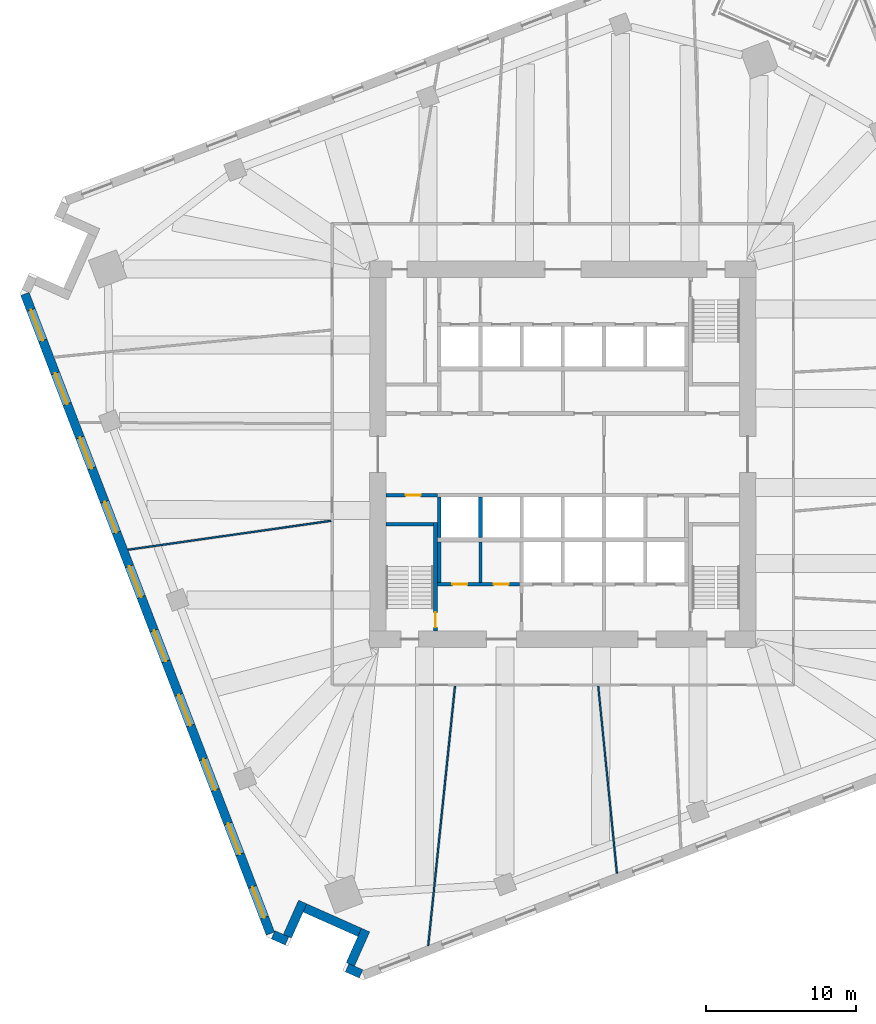
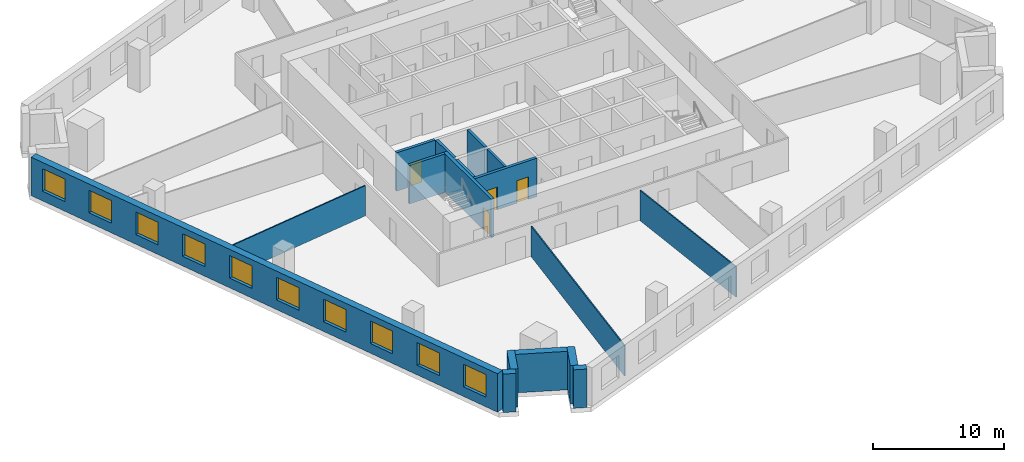
# One storey, part 7 of 14: 17 walls, 10 windows, 4 doors, 14 openings.
"""IFC4 building model written with IfcOpenShell, lengths in metres."""

import ifcopenshell
import ifcopenshell.guid

model = None  # the IFC model being written
_history = None  # IfcOwnerHistory: only IFC2X3 demands one
_inside = {}  # id of a spatial element -> (the spatial element, [elements in it])
_under = {}  # id of a project, library or spatial element -> (it, [spatial elements below it])
_declared = {}  # id of a project -> (the project, [libraries it declares])
_typed = {}  # id of a type object -> (the type object, [elements of that type])
_made_of = {}  # id of a material, layer set ... -> (it, [elements and type objects made of it])


def new_model(schema):
    """Start an empty IFC model of exactly this schema.

    Asked for "IFC4X3", IfcOpenShell would pick the latest addendum, in which some entities
    have other attributes; the version numbers below select the first issue.
    IFC2X3 requires an IfcOwnerHistory on every rooted entity: one is made here for all.
    """
    global model, _history
    if schema == "IFC4X3":
        model = ifcopenshell.file(schema_version=(4, 3, 0, 0))
    else:
        model = ifcopenshell.file(schema=schema)
    _inside.clear()
    _under.clear()
    _declared.clear()
    _typed.clear()
    _made_of.clear()
    _history = None
    if model.schema == "IFC2X3":
        org = make("IfcOrganization", Name="unknown")
        user = make(
            "IfcPersonAndOrganization",
            ThePerson=make("IfcPerson", FamilyName="unknown"),
            TheOrganization=org,
        )
        app = make(
            "IfcApplication",
            ApplicationDeveloper=org,
            Version="unknown",
            ApplicationFullName="unknown",
            ApplicationIdentifier="unknown",
        )
        _history = make(
            "IfcOwnerHistory",
            OwningUser=user,
            OwningApplication=app,
            ChangeAction="ADDED",
            CreationDate=0,
        )
    return model


def make(cls, **values):
    """One entity of the class cls with the attributes given. An attribute that is None is left unset."""
    return model.create_entity(
        cls, **{name: value for name, value in values.items() if value is not None}
    )


def rooted(cls, **values):
    """An entity with a GlobalId (a new one), such as an element, a storey or a relation."""
    return make(cls, GlobalId=ifcopenshell.guid.new(), OwnerHistory=_history, **values)


def si_unit(unit_type, name, prefix=None):
    """IfcSIUnit, for example si_unit("LENGTHUNIT", "METRE", prefix="MILLI")."""
    return make("IfcSIUnit", UnitType=unit_type, Prefix=prefix, Name=name)


def assignment(units):
    """IfcUnitAssignment: the units of a project."""
    return None if units is None else make("IfcUnitAssignment", Units=units)


def point(xyz):
    """IfcCartesianPoint."""
    return None if xyz is None else make("IfcCartesianPoint", Coordinates=xyz)


def direction(xyz):
    """IfcDirection."""
    return None if xyz is None else make("IfcDirection", DirectionRatios=xyz)


def frame(location, z_axis=None, x_axis=None):
    """IfcAxis2Placement3D, a coordinate frame: its origin and axes. An axis left out is left unset."""
    return make(
        "IfcAxis2Placement3D",
        Location=point(location),
        Axis=direction(z_axis),
        RefDirection=direction(x_axis),
    )


def frame_2d(location, x_axis=None):
    """IfcAxis2Placement2D, a coordinate frame in the plane: its origin and x axis."""
    return make(
        "IfcAxis2Placement2D", Location=point(location), RefDirection=direction(x_axis)
    )


def origin():
    """The frame at (0, 0, 0) with its axes left unset."""
    return frame((0.0, 0.0, 0.0))


def place(relative_to, where):
    """IfcLocalPlacement: puts the frame where relative to a parent placement (None: the world)."""
    return make(
        "IfcLocalPlacement", PlacementRelTo=relative_to, RelativePlacement=where
    )


def context(
    kind, dimensions, precision=None, world=None, true_north=None, identifier=None
):
    """IfcGeometricRepresentationContext, for example the 3D "Model" context."""
    return make(
        "IfcGeometricRepresentationContext",
        ContextIdentifier=identifier,
        ContextType=kind,
        CoordinateSpaceDimension=dimensions,
        Precision=precision,
        WorldCoordinateSystem=world,
        TrueNorth=true_north,
    )


def subcontext(parent, identifier, kind, view, scale=None):
    """IfcGeometricRepresentationSubContext, for example "Body" below "Model"."""
    return make(
        "IfcGeometricRepresentationSubContext",
        ContextIdentifier=identifier,
        ContextType=kind,
        ParentContext=parent,
        TargetScale=scale,
        TargetView=view,
    )


def project(units=None, contexts=None):
    """IfcProject with its units and contexts."""
    return rooted(
        "IfcProject",
        Name="project",
        RepresentationContexts=contexts,
        UnitsInContext=assignment(units),
    )


def spatial(cls, under=None, at=None, **own):
    """A site, building, storey or space (cls), placed at a placement, below another one or the project."""
    s = rooted(cls, ObjectPlacement=at, **own)
    if under is not None:
        _under.setdefault(under.id(), (under, []))[1].append(s)
    return s


def profile(cls, at=None, kind="AREA", **sizes):
    """A parametric profile (cls). Its sizes go by their IFC names, for example OverallWidth=200.0."""
    return make(cls, ProfileType=kind, Position=at, **sizes)


def rectangle(**sizes):
    """IfcRectangleProfileDef."""
    return profile("IfcRectangleProfileDef", **sizes)


def extrude(swept, where, along, depth):
    """IfcExtrudedAreaSolid: the profile swept, set in the frame where, extruded along a direction by depth."""
    return make(
        "IfcExtrudedAreaSolid",
        SweptArea=swept,
        Position=where,
        ExtrudedDirection=direction(along),
        Depth=depth,
    )


def shape(context_of_items, identifier, shape_type, items):
    """IfcShapeRepresentation: the items that make up one representation, for example the "Body"."""
    return make(
        "IfcShapeRepresentation",
        ContextOfItems=context_of_items,
        RepresentationIdentifier=identifier,
        RepresentationType=shape_type,
        Items=items,
    )


def material(Name=None, Category=None):
    """IfcMaterial."""
    return make("IfcMaterial", Name=Name, Category=Category)


def layer(
    of_material, thickness, ventilated=None, Name=None, Category=None, Priority=None
):
    """IfcMaterialLayer: one layer of a wall or slab, of a material (None: an air gap)."""
    return make(
        "IfcMaterialLayer",
        Material=of_material,
        LayerThickness=thickness,
        IsVentilated=ventilated,
        Name=Name,
        Category=Category,
        Priority=Priority,
    )


def layer_set(layers, Name=None):
    """IfcMaterialLayerSet."""
    return make("IfcMaterialLayerSet", MaterialLayers=layers, LayerSetName=Name)


def made_of(thing, what):
    """Note that an element or type object is made of a material, layer set ...; save() writes the relation."""
    if what is not None:
        _made_of.setdefault(what.id(), (what, []))[1].append(thing)
    return thing


def type_object(cls, material=None, **own):
    """A type object (cls), such as IfcWallType, which elements share."""
    return made_of(rooted(cls, **own), material)


def element(
    cls,
    number,
    at=None,
    inside=None,
    cuts=None,
    type_object=None,
    material=None,
    context=None,
    identifier="Body",
    shape_type=None,
    held_by="IfcProductDefinitionShape",
    body=None,
    shapes=None,
    **own,
):
    """One element of the class cls, such as IfcWall. Its Tag is "e" and its number.

    at: its placement. inside: the storey or other place that contains it. cuts: it is an
    opening in that element (IfcRelVoidsElement). A single representation is given by context,
    identifier, shape_type and body (its items); several are given by shapes. held_by: the class
    of the entity that holds the representations. save() writes the other relations.
    """
    e = rooted(cls, Tag="e%d" % number, ObjectPlacement=at, **own)
    if body is not None:
        shapes = [shape(context, identifier, shape_type, body)]
    if shapes is not None:
        e.Representation = make(held_by, Representations=shapes)
    if inside is not None:
        _inside.setdefault(inside.id(), (inside, []))[1].append(e)
    if cuts is not None:
        rooted(
            "IfcRelVoidsElement", RelatingBuildingElement=cuts, RelatedOpeningElement=e
        )
    if type_object is not None:
        _typed.setdefault(type_object.id(), (type_object, []))[1].append(e)
    return made_of(e, material)


def fill(opening, filler):
    """IfcRelFillsElement: the door or window that sits in an opening."""
    return rooted(
        "IfcRelFillsElement",
        RelatingOpeningElement=opening,
        RelatedBuildingElement=filler,
    )


def aggregate(whole, parts):
    """IfcRelAggregates: a whole, such as a stair, and the parts it consists of."""
    return rooted("IfcRelAggregates", RelatingObject=whole, RelatedObjects=parts)


def save(model, path):
    """Write the relations noted so far, then the file.

    IfcRelAggregates (storeys below a building ...), IfcRelContainedInSpatialStructure (elements
    in a storey), IfcRelDefinesByType, IfcRelAssociatesMaterial and IfcRelDeclares: one each for
    every whole, place, type object, material and project.
    """
    for whole, parts in _under.values():
        aggregate(whole, parts)
    for where, things in _inside.values():
        rooted(
            "IfcRelContainedInSpatialStructure",
            RelatedElements=things,
            RelatingStructure=where,
        )
    for kind, things in _typed.values():
        rooted("IfcRelDefinesByType", RelatedObjects=things, RelatingType=kind)
    for what, things in _made_of.values():
        rooted("IfcRelAssociatesMaterial", RelatedObjects=things, RelatingMaterial=what)
    for by, libraries in _declared.values():
        rooted("IfcRelDeclares", RelatingContext=by, RelatedDefinitions=libraries)
    model.write(path)


model = new_model("IFC4")

# Units and contexts
model_context = context("Model", 3, precision=1e-05, world=origin(), true_north=direction((0.0, 1.0)))
body_context = subcontext(model_context, "Body", "Model", "MODEL_VIEW")
ifc_project = project(units=[si_unit("LENGTHUNIT", "METRE"), si_unit("AREAUNIT", "SQUARE_METRE"), si_unit("VOLUMEUNIT", "CUBIC_METRE"), si_unit("PLANEANGLEUNIT", "RADIAN"), si_unit("MASSUNIT", "GRAM", prefix="KILO")], contexts=[model_context])

# Site, building, storey
site_placement = place(None, origin())
site = spatial("IfcSite", under=ifc_project, at=site_placement, CompositionType="ELEMENT")
building_placement = place(site_placement, origin())
building = spatial("IfcBuilding", under=site, at=building_placement, Name="Dilmun Exchange Tower", CompositionType="ELEMENT")
storey_placement = place(building_placement, frame((0.0, 0.0, 110.10009765625)))
storey = spatial("IfcBuildingStorey", under=building, at=storey_placement, Name="L25", CompositionType="ELEMENT", Elevation=110.10009765625)

# Wall
ifc_material_1 = material(Name="Concrete C40/50", Category="concrete")
ifc_layer_1 = layer(ifc_material_1, 0.199951171875)
ifc_layer_set_1 = layer_set([ifc_layer_1], Name="Concrete C40/50")
wall_type_1 = type_object("IfcWallType", Name="Core partition wall 200", PredefinedType="PARTITIONING", material=ifc_layer_set_1)
wall_1_placement = place(storey_placement, frame((-5.5, -8.544921875, 0.0), z_axis=(0.0, 0.0, 1.0), x_axis=(0.0, 1.0, 0.0)))
element("IfcWall", 1, at=wall_1_placement, inside=storey, type_object=wall_type_1, Name="L25 core partition wall 05", PredefinedType="PARTITIONING", context=body_context, shape_type="SweptSolid", body=[
    extrude(rectangle(XDim=2.68994140625, YDim=0.199951171875, at=frame_2d((1.344970703125, 0.0))), origin(), (0.0, 0.0, 1.0), 3.579833984375),
])

# Wall, openings, doors
ifc_layer_2 = layer(ifc_material_1, 0.25)
ifc_layer_set_2 = layer_set([ifc_layer_2], Name="Concrete C40/50")
wall_type_2 = type_object("IfcWallType", Name="Core partition wall 250", PredefinedType="PARTITIONING", material=ifc_layer_set_2)
wall_2_placement = place(storey_placement, frame((-8.3701171875, -8.675048828125, 0.0), z_axis=(0.0, 0.0, 1.0), x_axis=(1.0, 0.0, 0.0)))
wall_2 = element("IfcWall", 2, at=wall_2_placement, inside=storey, type_object=wall_type_2, Name="L25 core partition wall 03", PredefinedType="PARTITIONING", context=body_context, shape_type="SweptSolid", body=[
    extrude(rectangle(XDim=5.490234375, YDim=0.25, at=frame_2d((2.7451171875, 0.0))), origin(), (0.0, 0.0, 1.0), 3.579833984375),
])
opening_1_placement = place(wall_2_placement, frame((0.9951171875, 0.0, 0.0)))
opening_1 = element("IfcOpeningElement", 3, at=opening_1_placement, cuts=wall_2, Name="Opening CD4", PredefinedType="OPENING", context=body_context, shape_type="SweptSolid", body=[
    extrude(rectangle(XDim=1.0, YDim=2.10009765625, at=frame_2d((0.5, 1.050048828125))), frame((0.0, 0.135009765625, 0.0), z_axis=(0.0, -1.0, 0.0), x_axis=(1.0, 0.0, 0.0)), (0.0, 0.0, 1.0), 0.27001953125),
])
opening_2_placement = place(wall_2_placement, frame((3.7451171875, 0.0, 0.0)))
opening_2 = element("IfcOpeningElement", 4, at=opening_2_placement, cuts=wall_2, Name="Opening CD4", PredefinedType="OPENING", context=body_context, shape_type="SweptSolid", body=[
    extrude(rectangle(XDim=1.0, YDim=2.10009765625, at=frame_2d((0.5, 1.050048828125))), frame((0.0, 0.135009765625, 0.0), z_axis=(0.0, -1.0, 0.0), x_axis=(1.0, 0.0, 0.0)), (0.0, 0.0, 1.0), 0.27001953125),
])
ifc_material_2 = material(Name="Fire-rated steel door set", Category="steel")
door_type = type_object("IfcDoorType", Name="Core room door 1000x2100", OperationType="SINGLE_SWING_LEFT", PredefinedType="DOOR", material=ifc_material_2)
door_1_placement = place(opening_1_placement, origin())
door_1 = element("IfcDoor", 5, at=door_1_placement, inside=storey, type_object=door_type, Name="L25 door Male WC", OperationType="SINGLE_SWING_RIGHT", OverallHeight=2.10009765625, OverallWidth=1.0, PredefinedType="DOOR", context=body_context, shape_type="SweptSolid", body=[
    extrude(rectangle(XDim=1.0, YDim=2.10009765625, at=frame_2d((0.5, 1.050048828125))), frame((0.0, 0.02490234375, 0.0), z_axis=(0.0, -1.0, 0.0), x_axis=(1.0, 0.0, 0.0)), (0.0, 0.0, 1.0), 0.050048828125),
])
fill(opening_1, door_1)
door_2_placement = place(opening_2_placement, origin())
door_2 = element("IfcDoor", 6, at=door_2_placement, inside=storey, type_object=door_type, Name="L25 door Female WC", OperationType="SINGLE_SWING_RIGHT", OverallHeight=2.10009765625, OverallWidth=1.0, PredefinedType="DOOR", context=body_context, shape_type="SweptSolid", body=[
    extrude(rectangle(XDim=1.0, YDim=2.10009765625, at=frame_2d((0.5, 1.050048828125))), frame((0.0, 0.02490234375, 0.0), z_axis=(0.0, -1.0, 0.0), x_axis=(1.0, 0.0, 0.0)), (0.0, 0.0, 1.0), 0.050048828125),
])
fill(opening_2, door_2)

# Wall
wall_3_placement = place(storey_placement, frame((-8.25, -8.544921875, 0.0), z_axis=(0.0, 0.0, 1.0), x_axis=(0.0, 1.0, 0.0)))
element("IfcWall", 7, at=wall_3_placement, inside=storey, type_object=wall_type_2, Name="L25 core partition wall 04", PredefinedType="PARTITIONING", context=body_context, shape_type="SweptSolid", body=[
    extrude(rectangle(XDim=2.68994140625, YDim=0.25, at=frame_2d((1.344970703125, 0.0))), origin(), (0.0, 0.0, 1.0), 3.579833984375),
])

# Wall, opening, door
wall_4_placement = place(storey_placement, frame((-11.794921875, -2.72509765625, 0.0), z_axis=(0.0, 0.0, 1.0), x_axis=(1.0, 0.0, 0.0)))
wall_4 = element("IfcWall", 8, at=wall_4_placement, inside=storey, type_object=wall_type_2, Name="L25 core partition wall 07", PredefinedType="PARTITIONING", context=body_context, shape_type="SweptSolid", body=[
    extrude(rectangle(XDim=3.4150390625, YDim=0.25, at=frame_2d((1.70751953125, 0.0))), origin(), (0.0, 0.0, 1.0), 3.579833984375),
])
opening_3_placement = place(wall_4_placement, frame((1.294921875, 0.0, 0.0)))
opening_3 = element("IfcOpeningElement", 9, at=opening_3_placement, cuts=wall_4, Name="Opening CD4", PredefinedType="OPENING", context=body_context, shape_type="SweptSolid", body=[
    extrude(rectangle(XDim=1.0, YDim=2.10009765625, at=frame_2d((0.5, 1.050048828125))), frame((0.0, 0.135009765625, 0.0), z_axis=(0.0, -1.0, 0.0), x_axis=(1.0, 0.0, 0.0)), (0.0, 0.0, 1.0), 0.27001953125),
])
door_3_placement = place(opening_3_placement, origin())
door_3 = element("IfcDoor", 10, at=door_3_placement, inside=storey, type_object=door_type, Name="L25 door Accessible WC", OperationType="SINGLE_SWING_RIGHT", OverallHeight=2.10009765625, OverallWidth=1.0, PredefinedType="DOOR", context=body_context, shape_type="SweptSolid", body=[
    extrude(rectangle(XDim=1.0, YDim=2.10009765625, at=frame_2d((0.5, 1.050048828125))), frame((0.0, 0.02490234375, 0.0), z_axis=(0.0, -1.0, 0.0), x_axis=(1.0, 0.0, 0.0)), (0.0, 0.0, 1.0), 0.050048828125),
])
fill(opening_3, door_3)

# Walls
ifc_layer_3 = layer(ifc_material_1, 0.25)
ifc_layer_set_3 = layer_set([ifc_layer_3], Name="Concrete C40/50")
wall_type_3 = type_object("IfcWallType", Name="Lift shaft wall 250", PredefinedType="SOLIDWALL", material=ifc_layer_set_3)
for number, where, z_axis, x_axis, name in (
    (11, (-8.25, -5.550048828125, 0.0), (0.0, 0.0, 1.0), (0.0, 1.0, 0.0), "L25 lift shaft divider S10"),
    (12, (-5.5, -5.550048828125, 0.0), (0.0, 0.0, 1.0), (0.0, 1.0, 0.0), "L25 lift shaft divider S11"),
):
    element("IfcWall", number, at=place(storey_placement, frame(where, z_axis=z_axis, x_axis=x_axis)), inside=storey, type_object=wall_type_3, Name=name, PredefinedType="SOLIDWALL", context=body_context, shape_type="SweptSolid", body=[
        extrude(rectangle(XDim=2.699951171875, YDim=0.25, at=frame_2d((1.35009765625, 0.0))), origin(), (0.0, 0.0, 1.0), 3.579833984375),
    ])
ifc_material_3 = material(Name="Partition 100")
ifc_layer_4 = layer(ifc_material_3, 0.10009765625)
ifc_layer_set_4 = layer_set([ifc_layer_4], Name="Partition 100")
wall_type_4 = type_object("IfcWallType", Name="Partition 100", PredefinedType="PARTITIONING", material=ifc_layer_set_4)
wall_5_placement = place(storey_placement, frame((-29.04443359375, -6.369873046875, 0.0), z_axis=(0.0, 0.0, 1.0), x_axis=(0.990003953949, 0.141039608496, 0.0)))
element("IfcWall", 13, at=wall_5_placement, inside=storey, type_object=wall_type_4, Name="Partition", PredefinedType="PARTITIONING", context=body_context, shape_type="SweptSolid", body=[
    extrude(rectangle(XDim=13.69921875, YDim=0.10009765625, at=frame_2d((6.849609375, 0.0))), origin(), (0.0, 0.0, 1.0), 2.829833984375),
])
wall_6_placement = place(storey_placement, frame((-8.99267578125, -32.79931640625, 0.0), z_axis=(0.0, 0.0, 1.0), x_axis=(0.102654687672, 0.994717052784, 0.0)))
element("IfcWall", 14, at=wall_6_placement, inside=storey, type_object=wall_type_4, Name="Partition", PredefinedType="PARTITIONING", context=body_context, shape_type="SweptSolid", body=[
    extrude(rectangle(XDim=17.411376953125, YDim=0.10009765625, at=frame_2d((8.70556640625, 0.0))), origin(), (0.0, 0.0, 1.0), 2.829833984375),
])
wall_7_placement = place(storey_placement, frame((2.360107421875, -15.47998046875, 0.0), z_axis=(0.0, 0.0, 1.0), x_axis=(0.099470960922, -0.995040465475, 0.0)))
element("IfcWall", 15, at=wall_7_placement, inside=storey, type_object=wall_type_4, Name="Partition", PredefinedType="PARTITIONING", context=body_context, shape_type="SweptSolid", body=[
    extrude(rectangle(XDim=12.54443359375, YDim=0.10009765625, at=frame_2d((6.272216796875, 0.0))), origin(), (0.0, 0.0, 1.0), 2.829833984375),
])

# Wall, openings, windows
ifc_material_4 = material(Name="Precast concrete C50/60", Category="concrete")
ifc_layer_5 = layer(ifc_material_4, 0.60009765625)
ifc_layer_set_5 = layer_set([ifc_layer_5], Name="Precast concrete C50/60")
wall_type_5 = type_object("IfcWallType", Name="Precast stone-clad wall 600", PredefinedType="STANDARD", material=ifc_layer_set_5)
wall_8_placement = place(storey_placement, frame((-35.92529296875, 10.712890625, 0.0), z_axis=(0.0, 0.0, 1.0), x_axis=(0.358368969683, -0.933580034902, 0.0)))
wall_8 = element("IfcWall", 16, at=wall_8_placement, inside=storey, type_object=wall_type_5, Name="Facade wall L25-09", PredefinedType="STANDARD", context=body_context, shape_type="SweptSolid", body=[
    extrude(rectangle(XDim=45.751708984375, YDim=0.60009765625, at=frame_2d((22.8759765625, 0.0))), origin(), (0.0, 0.0, 1.0), 3.579833984375),
])
opening_4_placement = place(wall_8_placement, frame((1.137939453125, 0.0, 0.89990234375)))
opening_4 = element("IfcOpeningElement", 17, at=opening_4_placement, cuts=wall_8, Name="Opening W220-210", PredefinedType="OPENING", context=body_context, shape_type="SweptSolid", body=[
    extrude(rectangle(XDim=2.199951171875, YDim=2.10009765625, at=frame_2d((1.10009765625, 1.050048828125))), frame((0.0, 0.31005859375, 0.0), z_axis=(0.0, -1.0, 0.0), x_axis=(1.0, 0.0, 0.0)), (0.0, 0.0, 1.0), 0.6201171875),
])
opening_5_placement = place(wall_8_placement, frame((5.67578125, 0.0, 0.89990234375)))
opening_5 = element("IfcOpeningElement", 18, at=opening_5_placement, cuts=wall_8, Name="Opening W220-210", PredefinedType="OPENING", context=body_context, shape_type="SweptSolid", body=[
    extrude(rectangle(XDim=2.199951171875, YDim=2.10009765625, at=frame_2d((1.10009765625, 1.050048828125))), frame((0.0, 0.31005859375, 0.0), z_axis=(0.0, -1.0, 0.0), x_axis=(1.0, 0.0, 0.0)), (0.0, 0.0, 1.0), 0.6201171875),
])
opening_6_placement = place(wall_8_placement, frame((10.275634765625, 0.0, 0.89990234375)))
opening_6 = element("IfcOpeningElement", 19, at=opening_6_placement, cuts=wall_8, Name="Opening W220-210", PredefinedType="OPENING", context=body_context, shape_type="SweptSolid", body=[
    extrude(rectangle(XDim=2.199951171875, YDim=2.10009765625, at=frame_2d((1.10009765625, 1.050048828125))), frame((0.0, 0.31005859375, 0.0), z_axis=(0.0, -1.0, 0.0), x_axis=(1.0, 0.0, 0.0)), (0.0, 0.0, 1.0), 0.6201171875),
])
opening_7_placement = place(wall_8_placement, frame((14.875732421875, 0.0, 0.89990234375)))
opening_7 = element("IfcOpeningElement", 20, at=opening_7_placement, cuts=wall_8, Name="Opening W220-210", PredefinedType="OPENING", context=body_context, shape_type="SweptSolid", body=[
    extrude(rectangle(XDim=2.199951171875, YDim=2.10009765625, at=frame_2d((1.10009765625, 1.050048828125))), frame((0.0, 0.31005859375, 0.0), z_axis=(0.0, -1.0, 0.0), x_axis=(1.0, 0.0, 0.0)), (0.0, 0.0, 1.0), 0.6201171875),
])
opening_8_placement = place(wall_8_placement, frame((19.4755859375, 0.0, 0.89990234375)))
opening_8 = element("IfcOpeningElement", 21, at=opening_8_placement, cuts=wall_8, Name="Opening W220-210", PredefinedType="OPENING", context=body_context, shape_type="SweptSolid", body=[
    extrude(rectangle(XDim=2.199951171875, YDim=2.10009765625, at=frame_2d((1.10009765625, 1.050048828125))), frame((0.0, 0.31005859375, 0.0), z_axis=(0.0, -1.0, 0.0), x_axis=(1.0, 0.0, 0.0)), (0.0, 0.0, 1.0), 0.6201171875),
])
opening_9_placement = place(wall_8_placement, frame((24.07568359375, 0.0, 0.89990234375)))
opening_9 = element("IfcOpeningElement", 22, at=opening_9_placement, cuts=wall_8, Name="Opening W220-210", PredefinedType="OPENING", context=body_context, shape_type="SweptSolid", body=[
    extrude(rectangle(XDim=2.199951171875, YDim=2.10009765625, at=frame_2d((1.10009765625, 1.050048828125))), frame((0.0, 0.31005859375, 0.0), z_axis=(0.0, -1.0, 0.0), x_axis=(1.0, 0.0, 0.0)), (0.0, 0.0, 1.0), 0.6201171875),
])
opening_10_placement = place(wall_8_placement, frame((28.67578125, 0.0, 0.89990234375)))
opening_10 = element("IfcOpeningElement", 23, at=opening_10_placement, cuts=wall_8, Name="Opening W220-210", PredefinedType="OPENING", context=body_context, shape_type="SweptSolid", body=[
    extrude(rectangle(XDim=2.199951171875, YDim=2.10009765625, at=frame_2d((1.10009765625, 1.050048828125))), frame((0.0, 0.31005859375, 0.0), z_axis=(0.0, -1.0, 0.0), x_axis=(1.0, 0.0, 0.0)), (0.0, 0.0, 1.0), 0.6201171875),
])
opening_11_placement = place(wall_8_placement, frame((33.275634765625, 0.0, 0.89990234375)))
opening_11 = element("IfcOpeningElement", 24, at=opening_11_placement, cuts=wall_8, Name="Opening W220-210", PredefinedType="OPENING", context=body_context, shape_type="SweptSolid", body=[
    extrude(rectangle(XDim=2.199951171875, YDim=2.10009765625, at=frame_2d((1.10009765625, 1.050048828125))), frame((0.0, 0.31005859375, 0.0), z_axis=(0.0, -1.0, 0.0), x_axis=(1.0, 0.0, 0.0)), (0.0, 0.0, 1.0), 0.6201171875),
])
opening_12_placement = place(wall_8_placement, frame((37.875732421875, 0.0, 0.89990234375)))
opening_12 = element("IfcOpeningElement", 25, at=opening_12_placement, cuts=wall_8, Name="Opening W220-210", PredefinedType="OPENING", context=body_context, shape_type="SweptSolid", body=[
    extrude(rectangle(XDim=2.199951171875, YDim=2.10009765625, at=frame_2d((1.10009765625, 1.050048828125))), frame((0.0, 0.31005859375, 0.0), z_axis=(0.0, -1.0, 0.0), x_axis=(1.0, 0.0, 0.0)), (0.0, 0.0, 1.0), 0.6201171875),
])
opening_13_placement = place(wall_8_placement, frame((42.41357421875, 0.0, 0.89990234375)))
opening_13 = element("IfcOpeningElement", 26, at=opening_13_placement, cuts=wall_8, Name="Opening W220-210", PredefinedType="OPENING", context=body_context, shape_type="SweptSolid", body=[
    extrude(rectangle(XDim=2.199951171875, YDim=2.10009765625, at=frame_2d((1.10009765625, 1.050048828125))), frame((0.0, 0.31005859375, 0.0), z_axis=(0.0, -1.0, 0.0), x_axis=(1.0, 0.0, 0.0)), (0.0, 0.0, 1.0), 0.6201171875),
])
ifc_material_5 = material(Name="Clear low-emissivity glass in aluminium frame", Category="aluminium")
window_type = type_object("IfcWindowType", Name="Punched window 2200 x 2100", PartitioningType="DOUBLE_PANEL_VERTICAL", PredefinedType="WINDOW", material=ifc_material_5)
window_1_placement = place(opening_4_placement, origin())
window_1 = element("IfcWindow", 27, at=window_1_placement, inside=storey, type_object=window_type, Name="Window 10.1", OverallHeight=2.10009765625, OverallWidth=2.199951171875, PartitioningType="SINGLE_PANEL", PredefinedType="WINDOW", context=body_context, shape_type="SweptSolid", body=[
    extrude(rectangle(XDim=2.199951171875, YDim=2.10009765625, at=frame_2d((1.10009765625, 1.050048828125))), frame((0.0, 0.030029296875, 0.0), z_axis=(0.0, -1.0, 0.0), x_axis=(1.0, 0.0, 0.0)), (0.0, 0.0, 1.0), 0.06005859375),
])
fill(opening_4, window_1)
window_2_placement = place(opening_5_placement, origin())
window_2 = element("IfcWindow", 28, at=window_2_placement, inside=storey, type_object=window_type, Name="Window 10.2", OverallHeight=2.10009765625, OverallWidth=2.199951171875, PartitioningType="SINGLE_PANEL", PredefinedType="WINDOW", context=body_context, shape_type="SweptSolid", body=[
    extrude(rectangle(XDim=2.199951171875, YDim=2.10009765625, at=frame_2d((1.10009765625, 1.050048828125))), frame((0.0, 0.030029296875, 0.0), z_axis=(0.0, -1.0, 0.0), x_axis=(1.0, 0.0, 0.0)), (0.0, 0.0, 1.0), 0.06005859375),
])
fill(opening_5, window_2)
window_3_placement = place(opening_6_placement, origin())
window_3 = element("IfcWindow", 29, at=window_3_placement, inside=storey, type_object=window_type, Name="Window 10.3", OverallHeight=2.10009765625, OverallWidth=2.199951171875, PartitioningType="SINGLE_PANEL", PredefinedType="WINDOW", context=body_context, shape_type="SweptSolid", body=[
    extrude(rectangle(XDim=2.199951171875, YDim=2.10009765625, at=frame_2d((1.10009765625, 1.050048828125))), frame((0.0, 0.030029296875, 0.0), z_axis=(0.0, -1.0, 0.0), x_axis=(1.0, 0.0, 0.0)), (0.0, 0.0, 1.0), 0.06005859375),
])
fill(opening_6, window_3)
window_4_placement = place(opening_7_placement, origin())
window_4 = element("IfcWindow", 30, at=window_4_placement, inside=storey, type_object=window_type, Name="Window 10.4", OverallHeight=2.10009765625, OverallWidth=2.199951171875, PartitioningType="SINGLE_PANEL", PredefinedType="WINDOW", context=body_context, shape_type="SweptSolid", body=[
    extrude(rectangle(XDim=2.199951171875, YDim=2.10009765625, at=frame_2d((1.10009765625, 1.050048828125))), frame((0.0, 0.030029296875, 0.0), z_axis=(0.0, -1.0, 0.0), x_axis=(1.0, 0.0, 0.0)), (0.0, 0.0, 1.0), 0.06005859375),
])
fill(opening_7, window_4)
window_5_placement = place(opening_8_placement, origin())
window_5 = element("IfcWindow", 31, at=window_5_placement, inside=storey, type_object=window_type, Name="Window 10.5", OverallHeight=2.10009765625, OverallWidth=2.199951171875, PartitioningType="SINGLE_PANEL", PredefinedType="WINDOW", context=body_context, shape_type="SweptSolid", body=[
    extrude(rectangle(XDim=2.199951171875, YDim=2.10009765625, at=frame_2d((1.10009765625, 1.050048828125))), frame((0.0, 0.030029296875, 0.0), z_axis=(0.0, -1.0, 0.0), x_axis=(1.0, 0.0, 0.0)), (0.0, 0.0, 1.0), 0.06005859375),
])
fill(opening_8, window_5)
window_6_placement = place(opening_9_placement, origin())
window_6 = element("IfcWindow", 32, at=window_6_placement, inside=storey, type_object=window_type, Name="Window 10.6", OverallHeight=2.10009765625, OverallWidth=2.199951171875, PartitioningType="SINGLE_PANEL", PredefinedType="WINDOW", context=body_context, shape_type="SweptSolid", body=[
    extrude(rectangle(XDim=2.199951171875, YDim=2.10009765625, at=frame_2d((1.10009765625, 1.050048828125))), frame((0.0, 0.030029296875, 0.0), z_axis=(0.0, -1.0, 0.0), x_axis=(1.0, 0.0, 0.0)), (0.0, 0.0, 1.0), 0.06005859375),
])
fill(opening_9, window_6)
window_7_placement = place(opening_10_placement, origin())
window_7 = element("IfcWindow", 33, at=window_7_placement, inside=storey, type_object=window_type, Name="Window 10.7", OverallHeight=2.10009765625, OverallWidth=2.199951171875, PartitioningType="SINGLE_PANEL", PredefinedType="WINDOW", context=body_context, shape_type="SweptSolid", body=[
    extrude(rectangle(XDim=2.199951171875, YDim=2.10009765625, at=frame_2d((1.10009765625, 1.050048828125))), frame((0.0, 0.030029296875, 0.0), z_axis=(0.0, -1.0, 0.0), x_axis=(1.0, 0.0, 0.0)), (0.0, 0.0, 1.0), 0.06005859375),
])
fill(opening_10, window_7)
window_8_placement = place(opening_11_placement, origin())
window_8 = element("IfcWindow", 34, at=window_8_placement, inside=storey, type_object=window_type, Name="Window 10.8", OverallHeight=2.10009765625, OverallWidth=2.199951171875, PartitioningType="SINGLE_PANEL", PredefinedType="WINDOW", context=body_context, shape_type="SweptSolid", body=[
    extrude(rectangle(XDim=2.199951171875, YDim=2.10009765625, at=frame_2d((1.10009765625, 1.050048828125))), frame((0.0, 0.030029296875, 0.0), z_axis=(0.0, -1.0, 0.0), x_axis=(1.0, 0.0, 0.0)), (0.0, 0.0, 1.0), 0.06005859375),
])
fill(opening_11, window_8)
window_9_placement = place(opening_12_placement, origin())
window_9 = element("IfcWindow", 35, at=window_9_placement, inside=storey, type_object=window_type, Name="Window 10.9", OverallHeight=2.10009765625, OverallWidth=2.199951171875, PartitioningType="SINGLE_PANEL", PredefinedType="WINDOW", context=body_context, shape_type="SweptSolid", body=[
    extrude(rectangle(XDim=2.199951171875, YDim=2.10009765625, at=frame_2d((1.10009765625, 1.050048828125))), frame((0.0, 0.030029296875, 0.0), z_axis=(0.0, -1.0, 0.0), x_axis=(1.0, 0.0, 0.0)), (0.0, 0.0, 1.0), 0.06005859375),
])
fill(opening_12, window_9)
window_10_placement = place(opening_13_placement, origin())
window_10 = element("IfcWindow", 36, at=window_10_placement, inside=storey, type_object=window_type, Name="Window 10.10", OverallHeight=2.10009765625, OverallWidth=2.199951171875, PartitioningType="SINGLE_PANEL", PredefinedType="WINDOW", context=body_context, shape_type="SweptSolid", body=[
    extrude(rectangle(XDim=2.199951171875, YDim=2.10009765625, at=frame_2d((1.10009765625, 1.050048828125))), frame((0.0, 0.030029296875, 0.0), z_axis=(0.0, -1.0, 0.0), x_axis=(1.0, 0.0, 0.0)), (0.0, 0.0, 1.0), 0.06005859375),
])
fill(opening_13, window_10)

# Walls
wall_9_placement = place(storey_placement, frame((-19.3466796875, -32.081298828125, 0.0), z_axis=(0.0, 0.0, 1.0), x_axis=(0.913612312282, -0.406586451872, 0.0)))
element("IfcWall", 37, at=wall_9_placement, inside=storey, type_object=wall_type_5, Name="Facade wall L25-10", PredefinedType="STANDARD", context=body_context, shape_type="SweptSolid", body=[
    extrude(rectangle(XDim=1.01123046875, YDim=0.60009765625, at=frame_2d((0.505615234375, 0.0))), origin(), (0.0, 0.0, 1.0), 3.579833984375),
])
wall_10_placement = place(storey_placement, frame((-18.39208984375, -32.177734375, 0.0), z_axis=(0.0, 0.0, 1.0), x_axis=(0.406727323635, 0.913549606868, 0.0)))
element("IfcWall", 38, at=wall_10_placement, inside=storey, type_object=wall_type_5, Name="Facade wall L25-11", PredefinedType="STANDARD", context=body_context, shape_type="SweptSolid", body=[
    extrude(rectangle(XDim=2.5, YDim=0.60009765625, at=frame_2d((1.25, 0.0))), origin(), (0.0, 0.0, 1.0), 3.579833984375),
])
wall_11_placement = place(storey_placement, frame((-17.223388671875, -30.2900390625, 0.0), z_axis=(0.0, 0.0, 1.0), x_axis=(0.913549606868, -0.406727323635, 0.0)))
element("IfcWall", 39, at=wall_11_placement, inside=storey, type_object=wall_type_5, Name="Facade wall L25-12", PredefinedType="STANDARD", context=body_context, shape_type="SweptSolid", body=[
    extrude(rectangle(XDim=4.0, YDim=0.60009765625, at=frame_2d((2.0, 0.0))), origin(), (0.0, 0.0, 1.0), 3.579833984375),
])
wall_12_placement = place(storey_placement, frame((-13.173095703125, -31.764892578125, 0.0), z_axis=(0.0, 0.0, 1.0), x_axis=(-0.406727323635, -0.913549606868, 0.0)))
element("IfcWall", 40, at=wall_12_placement, inside=storey, type_object=wall_type_5, Name="Facade wall L25-13", PredefinedType="STANDARD", context=body_context, shape_type="SweptSolid", body=[
    extrude(rectangle(XDim=2.5, YDim=0.60009765625, at=frame_2d((1.25, 0.0))), origin(), (0.0, 0.0, 1.0), 3.579833984375),
])
wall_13_placement = place(storey_placement, frame((-14.4033203125, -34.2822265625, 0.0), z_axis=(0.0, 0.0, 1.0), x_axis=(0.913522612657, -0.406787949875, 0.0)))
element("IfcWall", 41, at=wall_13_placement, inside=storey, type_object=wall_type_5, Name="Facade wall L25-14", PredefinedType="STANDARD", context=body_context, shape_type="SweptSolid", body=[
    extrude(rectangle(XDim=1.01123046875, YDim=0.60009765625, at=frame_2d((0.505615234375, 0.0))), origin(), (0.0, 0.0, 1.0), 3.579833984375),
])
ifc_layer_6 = layer(ifc_material_1, 0.25)
ifc_layer_set_6 = layer_set([ifc_layer_6], Name="Concrete C40/50")
wall_type_6 = type_object("IfcWallType", Name="Stair end wall 250", PredefinedType="SOLIDWALL", material=ifc_layer_set_6)
wall_14_placement = place(storey_placement, frame((-8.64990234375, -4.675048828125, 0.0), z_axis=(0.0, 0.0, 1.0), x_axis=(-1.0, 0.0, 0.0)))
element("IfcWall", 42, at=wall_14_placement, inside=storey, type_object=wall_type_6, Name="L25 ST2 far wall", PredefinedType="SOLIDWALL", context=body_context, shape_type="SweptSolid", body=[
    extrude(rectangle(XDim=3.150146484375, YDim=0.25, at=frame_2d((1.5751953125, 0.0))), origin(), (0.0, 0.0, 1.0), 3.579833984375),
])

# Wall, opening, door
ifc_layer_7 = layer(ifc_material_1, 0.27490234375)
ifc_layer_set_7 = layer_set([ifc_layer_7], Name="Concrete C40/50")
wall_type_7 = type_object("IfcWallType", Name="Stair wall 275", PredefinedType="SOLIDWALL", material=ifc_layer_set_7)
wall_15_placement = place(storey_placement, frame((-8.512451171875, -4.550048828125, 0.0), z_axis=(0.0, 0.0, 1.0), x_axis=(0.0, -1.0, 0.0)))
wall_15 = element("IfcWall", 43, at=wall_15_placement, inside=storey, type_object=wall_type_7, Name="L25 ST2 wall to lift block", PredefinedType="SOLIDWALL", context=body_context, shape_type="SweptSolid", body=[
    extrude(rectangle(XDim=7.25, YDim=0.27490234375, at=frame_2d((3.625, 0.0))), origin(), (0.0, 0.0, 1.0), 3.579833984375),
])
opening_14_placement = place(wall_15_placement, frame((6.0, 0.0, 0.0)))
opening_14 = element("IfcOpeningElement", 44, at=opening_14_placement, cuts=wall_15, Name="Opening CD4", PredefinedType="OPENING", context=body_context, shape_type="SweptSolid", body=[
    extrude(rectangle(XDim=1.0, YDim=2.10009765625, at=frame_2d((0.5, 1.050048828125))), frame((0.0, 0.1474609375, 0.0), z_axis=(0.0, -1.0, 0.0), x_axis=(1.0, 0.0, 0.0)), (0.0, 0.0, 1.0), 0.294921875),
])
door_4_placement = place(opening_14_placement, origin())
door_4 = element("IfcDoor", 45, at=door_4_placement, inside=storey, type_object=door_type, Name="L25 door ST2 from lobby", OperationType="SINGLE_SWING_LEFT", OverallHeight=2.10009765625, OverallWidth=1.0, PredefinedType="DOOR", context=body_context, shape_type="SweptSolid", body=[
    extrude(rectangle(XDim=1.0, YDim=2.10009765625, at=frame_2d((0.5, 1.050048828125))), frame((0.0, 0.02490234375, 0.0), z_axis=(0.0, -1.0, 0.0), x_axis=(1.0, 0.0, 0.0)), (0.0, 0.0, 1.0), 0.050048828125),
])
fill(opening_14, door_4)

save(model, "model.ifc")
